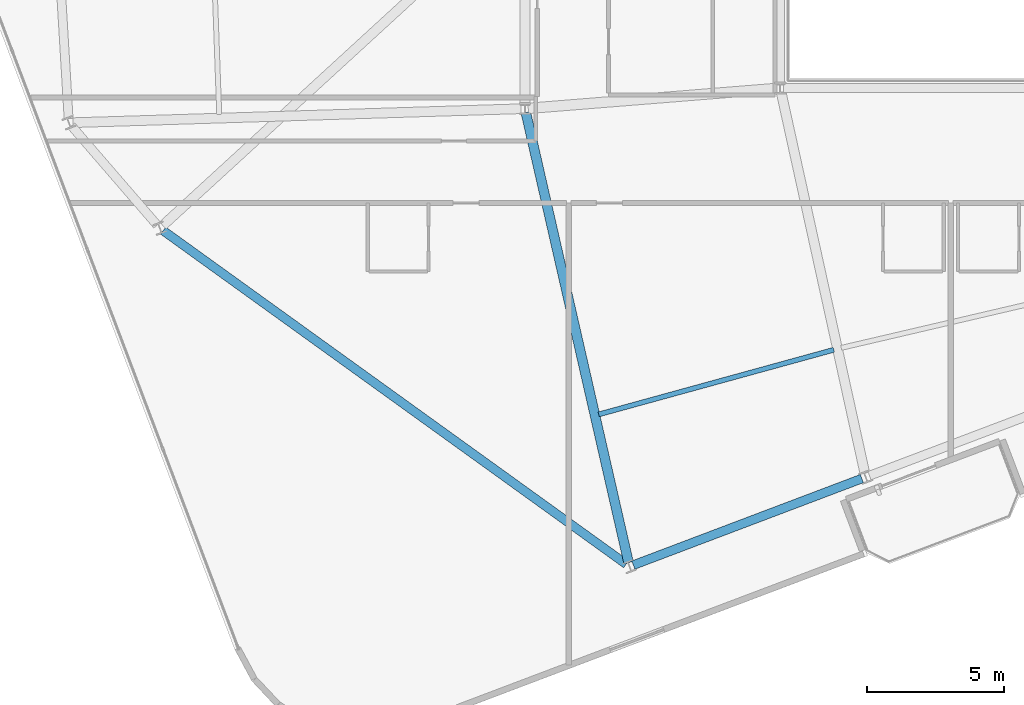
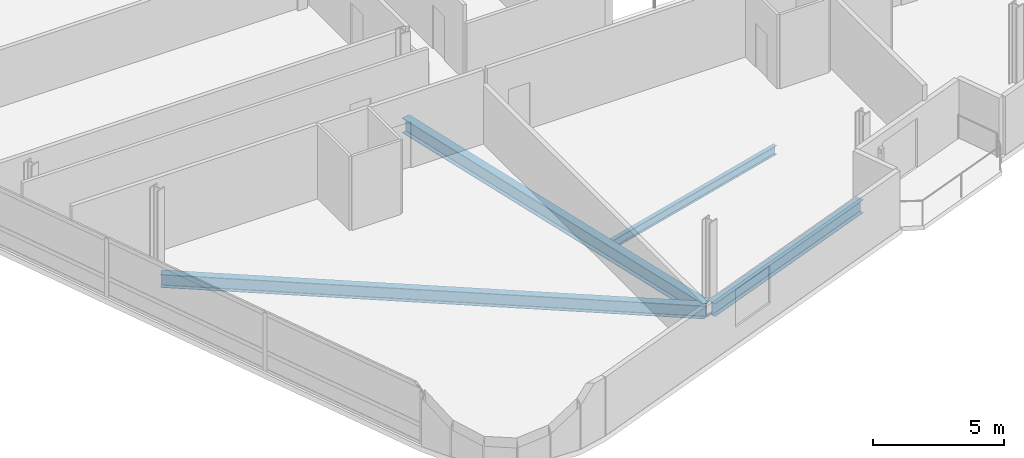
# One storey, part 4 of 19: 4 beams.
"""IFC4 building model written with IfcOpenShell, lengths in metres."""

from ifc_helpers import new_model, si_unit, direction, frame, origin, origin_2d, place, context, subcontext, project, spatial, i_section, extrude, material, material_profile, profile_set, type_object, element, save


model = new_model("IFC4")

# Units and contexts
model_context = context("Model", 3, precision=1e-05, world=origin(), true_north=direction((0.0, 1.0)))
body_context = subcontext(model_context, "Body", "Model", "MODEL_VIEW")
ifc_project = project(units=[si_unit("LENGTHUNIT", "METRE"), si_unit("AREAUNIT", "SQUARE_METRE"), si_unit("VOLUMEUNIT", "CUBIC_METRE"), si_unit("PLANEANGLEUNIT", "RADIAN"), si_unit("MASSUNIT", "GRAM", prefix="KILO")], contexts=[model_context])

# Site, building, storey
site_placement = place(None, origin())
site = spatial("IfcSite", under=ifc_project, at=site_placement, CompositionType="ELEMENT")
building_placement = place(site_placement, origin())
building = spatial("IfcBuilding", under=site, at=building_placement, Name="Varnelok Gate Tower", CompositionType="ELEMENT")
storey_placement = place(building_placement, frame((0.0, 0.0, 246.0)))
storey = spatial("IfcBuildingStorey", under=building, at=storey_placement, Name="L63", CompositionType="ELEMENT", Elevation=246.0)

# Beams
ifc_material = material(Name="Structural Steel ASTM A992 Grade 50", Category="steel")
ifc_material_profile_1 = material_profile(ifc_material, i_section(OverallWidth=0.180908203125, OverallDepth=0.4169921875, WebThickness=0.010986328125, FlangeThickness=0.018310546875, FilletRadius=0.013916015625, at=origin_2d()), Name="W16X57")
ifc_profile_set_1 = profile_set([ifc_material_profile_1], Name="Structural Steel ASTM A992 Grade 50")
beam_type_1 = type_object("IfcBeamType", Name="BM-JST-W16X57", PredefinedType="JOIST", material=ifc_profile_set_1)
beam_1_placement = place(storey_placement, frame((27.100341796875, 7.599853515625, -0.45849609375), z_axis=(0.964219893218, 0.265103748602, 0.0), x_axis=(-0.265103748602, 0.964219893218, 0.0)))
element("IfcBeam", 1, at=beam_1_placement, inside=storey, type_object=beam_type_1, Name="L63 Sector Floor Joist 1", PredefinedType="JOIST", context=body_context, shape_type="SweptSolid", body=[
    extrude(i_section(OverallWidth=0.180908203125, OverallDepth=0.4169921875, WebThickness=0.010986328125, FlangeThickness=0.018310546875, FilletRadius=0.013916015625, at=origin_2d()), origin(), (0.0, 0.0, 1.0), 8.93115234375),
])
ifc_material_profile_2 = material_profile(ifc_material, i_section(OverallWidth=0.35498046875, OverallDepth=0.696044921875, WebThickness=0.015380859375, FlangeThickness=0.02490234375, FilletRadius=0.02001953125, at=origin_2d()), Name="W27X146")
ifc_profile_set_2 = profile_set([ifc_material_profile_2], Name="Structural Steel ASTM A992 Grade 50")
beam_type_2 = type_object("IfcBeamType", Name="BM-PRI-W27X146", PredefinedType="BEAM", material=ifc_profile_set_2)
beam_2_placement = place(storey_placement, frame((24.433349609375, 18.65380859375, -0.597900390625), z_axis=(0.222569880735, -0.974916739106, 0.0), x_axis=(0.974916739106, 0.222569880735, 0.0)))
element("IfcBeam", 2, at=beam_2_placement, inside=storey, type_object=beam_type_2, Name="L63 Radial Floor Girder 1", PredefinedType="BEAM", context=body_context, shape_type="SweptSolid", body=[
    extrude(i_section(OverallWidth=0.35498046875, OverallDepth=0.696044921875, WebThickness=0.015380859375, FlangeThickness=0.02490234375, FilletRadius=0.02001953125, at=origin_2d()), origin(), (0.0, 0.0, 1.0), 16.903564453125),
])
ifc_material_profile_3 = material_profile(ifc_material, i_section(OverallWidth=0.323974609375, OverallDepth=0.611083984375, WebThickness=0.0126953125, FlangeThickness=0.01904296875, FilletRadius=0.01806640625, at=origin_2d()), Name="W24X104")
ifc_profile_set_3 = profile_set([ifc_material_profile_3], Name="Structural Steel ASTM A992 Grade 50")
beam_type_3 = type_object("IfcBeamType", Name="BM-SPN-W24X104", PredefinedType="SPANDREL", material=ifc_profile_set_3)
beam_3_placement = place(storey_placement, frame((28.369384765625, 2.081298828125, -0.555419921875), z_axis=(0.935225969099, 0.354051389947, 0.0), x_axis=(-0.354051389947, 0.935225969099, 0.0)))
element("IfcBeam", 3, at=beam_3_placement, inside=storey, type_object=beam_type_3, Name="L63 Perimeter Spandrel Beam 1", PredefinedType="SPANDREL", context=body_context, shape_type="SweptSolid", body=[
    extrude(i_section(OverallWidth=0.323974609375, OverallDepth=0.611083984375, WebThickness=0.0126953125, FlangeThickness=0.01904296875, FilletRadius=0.01806640625, at=origin_2d()), origin(), (0.0, 0.0, 1.0), 8.949951171875),
])
beam_4_placement = place(storey_placement, frame((11.148681640625, 14.33251953125, -0.555419921875), z_axis=(0.811386760244, -0.584509645173, 0.0), x_axis=(0.584509645173, 0.811386760244, 0.0)))
element("IfcBeam", 4, at=beam_4_placement, inside=storey, type_object=beam_type_3, Name="L63 Perimeter Spandrel Beam 16", PredefinedType="SPANDREL", context=body_context, shape_type="SweptSolid", body=[
    extrude(i_section(OverallWidth=0.323974609375, OverallDepth=0.611083984375, WebThickness=0.0126953125, FlangeThickness=0.01904296875, FilletRadius=0.01806640625, at=origin_2d()), origin(), (0.0, 0.0, 1.0), 20.90087890625),
])

save(model, "model.ifc")
